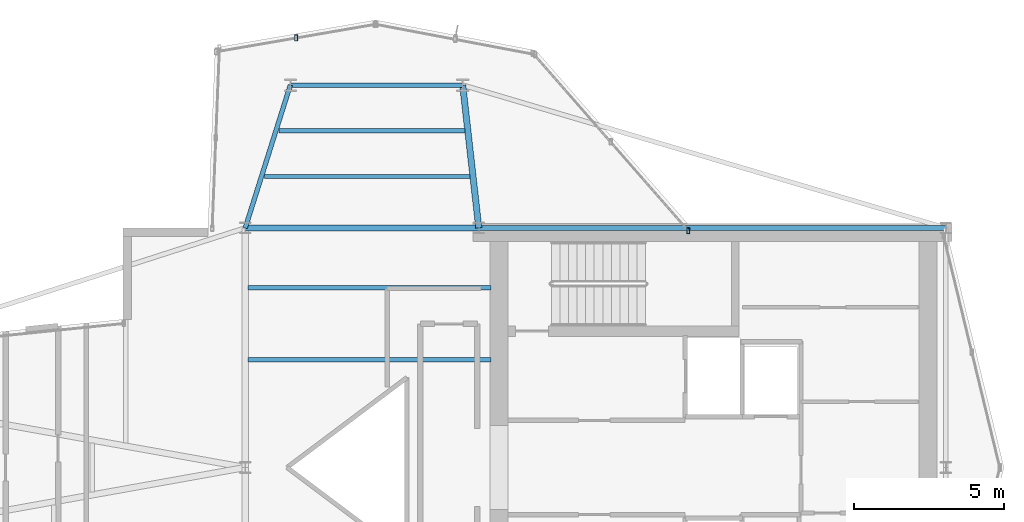
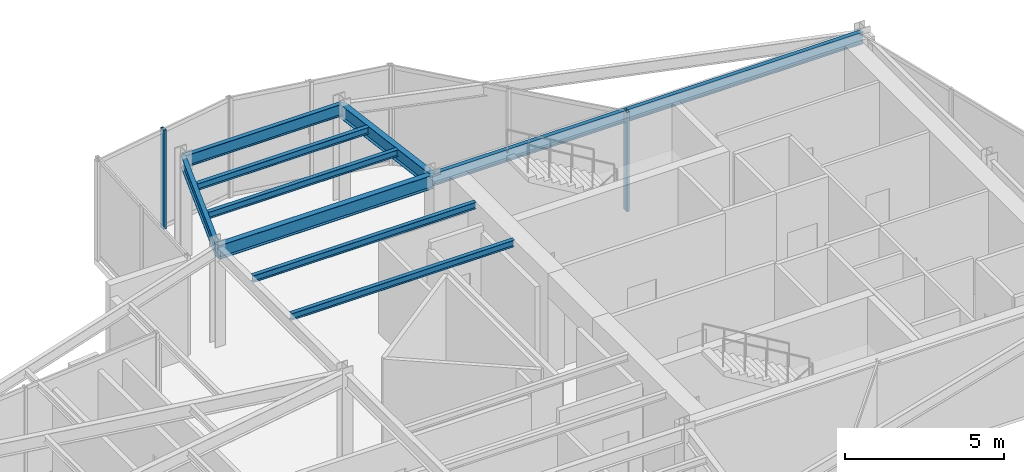
# One storey, part 6 of 14: 9 beams, 2 members, 2 elements without a shape of their own.
"""IFC4 building model written with IfcOpenShell, lengths in metres."""

from ifc_helpers import new_model, si_unit, direction, frame, origin, origin_2d, place, context, subcontext, project, spatial, hollow_rectangle, i_section, extrude, material, layer, layer_set, material_profile, profile_set, type_object, element, aggregate, save


model = new_model("IFC4")

# Units and contexts
model_context = context("Model", 3, precision=1e-05, world=origin(), true_north=direction((0.0, 1.0)))
body_context = subcontext(model_context, "Body", "Model", "MODEL_VIEW")
ifc_project = project(units=[si_unit("LENGTHUNIT", "METRE"), si_unit("AREAUNIT", "SQUARE_METRE"), si_unit("VOLUMEUNIT", "CUBIC_METRE"), si_unit("PLANEANGLEUNIT", "RADIAN"), si_unit("MASSUNIT", "GRAM", prefix="KILO")], contexts=[model_context])

# Site, building, storey
site_placement = place(None, origin())
site = spatial("IfcSite", under=ifc_project, at=site_placement, CompositionType="ELEMENT")
building_placement = place(site_placement, origin())
building = spatial("IfcBuilding", under=site, at=building_placement, Name="Veymaron Broadcast Tower", CompositionType="ELEMENT")
storey_placement = place(building_placement, frame((0.0, 0.0, 270.89990234375)))
storey = spatial("IfcBuildingStorey", under=building, at=storey_placement, Name="L63", CompositionType="ELEMENT", Elevation=270.89990234375)

# Beams
ifc_material_1 = material(Name="Structural steel ASTM A992 Gr 50", Category="steel")
ifc_material_profile_1 = material_profile(ifc_material_1, i_section(OverallWidth=0.208984375, OverallDepth=0.528076171875, WebThickness=0.009521484375, FlangeThickness=0.01318359375, at=origin_2d()), Name="W530X82")
ifc_profile_set_1 = profile_set([ifc_material_profile_1], Name="Structural steel ASTM A992 Gr 50")
beam_type_1 = type_object("IfcBeamType", Name="BM-FG4", PredefinedType="BEAM", material=ifc_profile_set_1)
beam_1_placement = place(storey_placement, frame((31.199951171875, 32.0, 3.546142578125), z_axis=(1.0, 0.0, 0.0), x_axis=(0.0, 1.0, 0.0)))
element("IfcBeam", 1, at=beam_1_placement, inside=storey, type_object=beam_type_1, Name="L63 primary structural floor girder", PredefinedType="BEAM", context=body_context, shape_type="SweptSolid", body=[
    extrude(i_section(OverallWidth=0.208984375, OverallDepth=0.528076171875, WebThickness=0.009521484375, FlangeThickness=0.01318359375, at=origin_2d()), origin(), (0.0, 0.0, 1.0), 7.800048828125),
])
beam_2_placement = place(storey_placement, frame((39.0, 32.0, 3.546142578125), z_axis=(-0.112049553621, 0.993702620271, 0.0), x_axis=(-0.993702620271, -0.112049553621, 0.0)))
element("IfcBeam", 2, at=beam_2_placement, inside=storey, type_object=beam_type_1, Name="L63 primary structural floor girder", PredefinedType="BEAM", context=body_context, shape_type="SweptSolid", body=[
    extrude(i_section(OverallWidth=0.208984375, OverallDepth=0.528076171875, WebThickness=0.009521484375, FlangeThickness=0.01318359375, at=origin_2d()), origin(), (0.0, 0.0, 1.0), 4.80224609375),
])
ifc_material_profile_2 = material_profile(ifc_material_1, i_section(OverallWidth=0.14599609375, OverallDepth=0.258056640625, WebThickness=0.006103515625, FlangeThickness=0.009033203125, at=origin_2d()), Name="W250X33")
ifc_profile_set_2 = profile_set([ifc_material_profile_2], Name="Structural steel ASTM A992 Gr 50")
beam_type_2 = type_object("IfcBeamType", Name="BM-JS4", PredefinedType="JOIST", material=ifc_profile_set_2)
beam_3_placement = place(storey_placement, frame((31.84228515625, 33.718017578125, 3.68115234375), z_axis=(1.0, 0.0, 0.0), x_axis=(0.0, 1.0, 0.0)))
element("IfcBeam", 3, at=beam_3_placement, inside=storey, type_object=beam_type_2, Name="L63 Arm-B secondary joist 1", PredefinedType="JOIST", context=body_context, shape_type="SweptSolid", body=[
    extrude(i_section(OverallWidth=0.14599609375, OverallDepth=0.258056640625, WebThickness=0.006103515625, FlangeThickness=0.009033203125, at=origin_2d()), origin(), (0.0, 0.0, 1.0), 6.864013671875),
])
beam_4_placement = place(storey_placement, frame((32.324462890625, 35.2451171875, 3.68115234375), z_axis=(1.0, 0.0, 0.0), x_axis=(0.0, 1.0, 0.0)))
element("IfcBeam", 4, at=beam_4_placement, inside=storey, type_object=beam_type_2, Name="L63 Arm-B secondary joist 2", PredefinedType="JOIST", context=body_context, shape_type="SweptSolid", body=[
    extrude(i_section(OverallWidth=0.14599609375, OverallDepth=0.258056640625, WebThickness=0.006103515625, FlangeThickness=0.009033203125, at=origin_2d()), origin(), (0.0, 0.0, 1.0), 6.209716796875),
])
for number, where, z_axis, x_axis, name in (
    (5, (31.300048828125, 27.60009765625, 3.68115234375), (1.0, 0.0, 0.0), (0.0, 1.0, 0.0), "L63 Hub secondary joist 3"),
    (6, (31.300048828125, 30.0, 3.68115234375), (1.0, 0.0, 0.0), (0.0, 1.0, 0.0), "L63 Hub secondary joist 4"),
):
    element("IfcBeam", number, at=place(storey_placement, frame(where, z_axis=z_axis, x_axis=x_axis)), inside=storey, type_object=beam_type_2, Name=name, PredefinedType="JOIST", context=body_context, shape_type="SweptSolid", body=[
        extrude(i_section(OverallWidth=0.14599609375, OverallDepth=0.258056640625, WebThickness=0.006103515625, FlangeThickness=0.009033203125, at=origin_2d()), origin(), (0.0, 0.0, 1.0), 8.099853515625),
    ])
ifc_material_profile_3 = material_profile(ifc_material_1, i_section(OverallWidth=0.154052734375, OverallDepth=0.458984375, WebThickness=0.009033203125, FlangeThickness=0.015380859375, at=origin_2d()), Name="W460X68")
ifc_profile_set_3 = profile_set([ifc_material_profile_3], Name="Structural steel ASTM A992 Gr 50")
beam_type_3 = type_object("IfcBeamType", Name="BM-SP2", PredefinedType="SPANDREL", material=ifc_profile_set_3)
beam_5_placement = place(storey_placement, frame((39.0, 32.0, 3.58056640625), z_axis=(1.0, 0.0, 0.0), x_axis=(0.0, 1.0, 0.0)))
element("IfcBeam", 7, at=beam_5_placement, inside=storey, type_object=beam_type_3, Name="L63 primary structural floor girder", PredefinedType="SPANDREL", context=body_context, shape_type="SweptSolid", body=[
    extrude(i_section(OverallWidth=0.154052734375, OverallDepth=0.458984375, WebThickness=0.009033203125, FlangeThickness=0.015380859375, at=origin_2d()), origin(), (0.0, 0.0, 1.0), 15.60009765625),
])
beam_6_placement = place(storey_placement, frame((31.199951171875, 32.0, 3.58056640625), z_axis=(0.301023957979, 0.953616577416, 0.0), x_axis=(-0.953616577416, 0.301023957979, 0.0)))
element("IfcBeam", 8, at=beam_6_placement, inside=storey, type_object=beam_type_3, Name="L63 primary structural floor girder", PredefinedType="SPANDREL", context=body_context, shape_type="SweptSolid", body=[
    extrude(i_section(OverallWidth=0.154052734375, OverallDepth=0.458984375, WebThickness=0.009033203125, FlangeThickness=0.015380859375, at=origin_2d()), origin(), (0.0, 0.0, 1.0), 5.004150390625),
])
beam_7_placement = place(storey_placement, frame((32.706298828125, 36.77197265625, 3.58056640625), z_axis=(1.0, 0.0, 0.0), x_axis=(0.0, 1.0, 0.0)))
element("IfcBeam", 9, at=beam_7_placement, inside=storey, type_object=beam_type_3, Name="L63 primary structural floor girder", PredefinedType="SPANDREL", context=body_context, shape_type="SweptSolid", body=[
    extrude(i_section(OverallWidth=0.154052734375, OverallDepth=0.458984375, WebThickness=0.009033203125, FlangeThickness=0.015380859375, at=origin_2d()), origin(), (0.0, 0.0, 1.0), 5.755615234375),
])

# Curtain wall, member
ifc_material_2 = material(Name="Anodised aluminium AA 6063-T6 and laminated low-E dark glass", Category="aluminium")
ifc_layer = layer(ifc_material_2, 0.179931640625)
ifc_layer_set = layer_set([ifc_layer], Name="Anodised aluminium AA 6063-T6 and laminated low-E dark glass")
curtain_wall_type = type_object("IfcCurtainWallType", Name="CW-SYS-06", PredefinedType="NOTDEFINED", material=ifc_layer_set)
curtain_wall_1_placement = place(storey_placement, origin())
curtain_wall_1 = element("IfcCurtainWall", 10, at=curtain_wall_1_placement, inside=storey, type_object=curtain_wall_type, Name="L63 dark-glass curtain wall CW-L63-E5-1", PredefinedType="NOTDEFINED")
ifc_material_3 = material(Name="Anodised aluminium AA 6063-T6", Category="aluminium")
ifc_material_profile_4 = material_profile(ifc_material_3, hollow_rectangle(XDim=0.10009765625, YDim=0.199951171875, WallThickness=0.010009765625, at=origin_2d()), Name="RHS200X100X10")
ifc_profile_set_4 = profile_set([ifc_material_profile_4], Name="Anodised aluminium AA 6063-T6")
member_type = type_object("IfcMemberType", Name="CW-MUL-01", PredefinedType="MULLION", material=ifc_profile_set_4)
member_1_placement = place(storey_placement, frame((45.994384765625, 31.90771484375, 0.0), z_axis=(0.0, 0.0, 1.0), x_axis=(1.0, 0.0, 0.0)))
member_1 = element("IfcMember", 11, at=member_1_placement, type_object=member_type, Name="CW-L63-E5-1 mullion 0", PredefinedType="MULLION", context=body_context, shape_type="SweptSolid", body=[
    extrude(hollow_rectangle(XDim=0.10009765625, YDim=0.199951171875, WallThickness=0.010009765625, at=origin_2d()), origin(), (0.0, 0.0, 1.0), 3.81005859375),
])
aggregate(curtain_wall_1, [member_1])

curtain_wall_2_placement = place(storey_placement, origin())
curtain_wall_2 = element("IfcCurtainWall", 12, at=curtain_wall_2_placement, inside=storey, type_object=curtain_wall_type, Name="L63 dark-glass curtain wall CW-L63-E7-1", PredefinedType="NOTDEFINED")
member_2_placement = place(storey_placement, frame((32.89794921875, 38.34521484375, 0.0), z_axis=(0.0, 0.0, 1.0), x_axis=(1.0, 0.0, 0.0)))
member_2 = element("IfcMember", 13, at=member_2_placement, type_object=member_type, Name="CW-L63-E7-1 mullion 1", PredefinedType="MULLION", context=body_context, shape_type="SweptSolid", body=[
    extrude(hollow_rectangle(XDim=0.10009765625, YDim=0.199951171875, WallThickness=0.010009765625, at=origin_2d()), origin(), (0.0, 0.0, 1.0), 3.81005859375),
])
aggregate(curtain_wall_2, [member_2])

save(model, "model.ifc")
